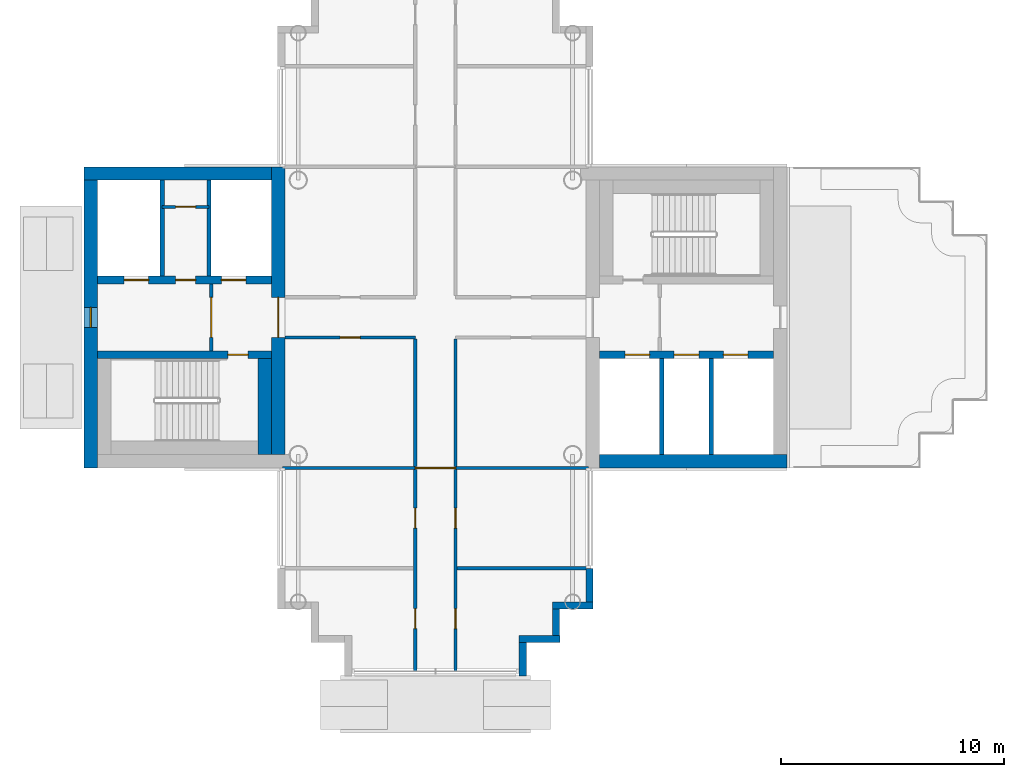
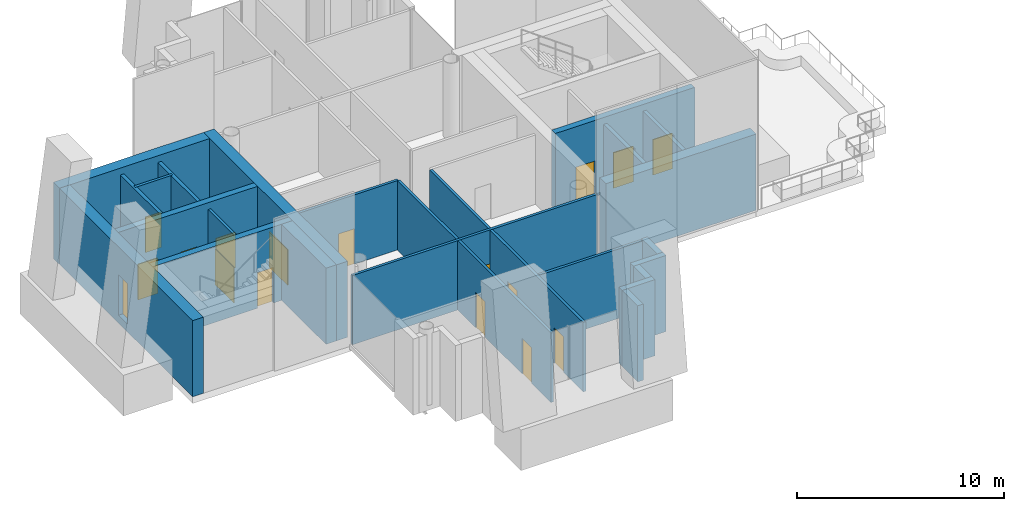
# One storey, part 7 of 16: 26 walls, 16 doors, 1 window, 17 openings.
"""IFC4 building model written with IfcOpenShell, lengths in metres."""

from ifc_helpers import new_model, si_unit, direction, frame, frame_2d, origin, place, context, subcontext, project, spatial, rectangle, extrude, material, layer, layer_set, type_object, element, fill, save


model = new_model("IFC4")

# Units and contexts
model_context = context("Model", 3, precision=1e-05, world=origin(), true_north=direction((0.0, 1.0)))
body_context = subcontext(model_context, "Body", "Model", "MODEL_VIEW")
ifc_project = project(units=[si_unit("LENGTHUNIT", "METRE"), si_unit("AREAUNIT", "SQUARE_METRE"), si_unit("VOLUMEUNIT", "CUBIC_METRE"), si_unit("PLANEANGLEUNIT", "RADIAN"), si_unit("MASSUNIT", "GRAM", prefix="KILO")], contexts=[model_context])

# Site, building, storey
site_placement = place(None, origin())
site = spatial("IfcSite", under=ifc_project, at=site_placement, CompositionType="ELEMENT")
building_placement = place(site_placement, origin())
building = spatial("IfcBuilding", under=site, at=building_placement, Name="Ipe Terrace Towers", CompositionType="ELEMENT")
storey_placement = place(building_placement, frame((0.0, 0.0, 233.39990234375)))
storey = spatial("IfcBuildingStorey", under=building, at=storey_placement, Name="L65", CompositionType="ELEMENT", Elevation=233.39990234375)

# Walls
ifc_material_1 = material(Name="Concrete C40/50 with buff precast cladding", Category="concrete")
ifc_layer_1 = layer(ifc_material_1, 0.320068359375)
ifc_layer_set_1 = layer_set([ifc_layer_1], Name="BUFF CLADDING WALL 320")
wall_type_1 = type_object("IfcWallType", Name="BUFF CLADDING WALL 320", PredefinedType="STANDARD", material=ifc_layer_set_1)
wall_1_placement = place(storey_placement, frame((-32.090087890625, -16.070068359375, -0.2998046875), z_axis=(0.0, 0.0, 1.0), x_axis=(0.0, 1.0, 0.0)))
element("IfcWall", 1, at=wall_1_placement, inside=storey, type_object=wall_type_1, Name="T1-W-L65-09a wall", PredefinedType="STANDARD", context=body_context, shape_type="SweptSolid", body=[
    extrude(rectangle(XDim=1.5, YDim=0.320068359375, at=frame_2d((0.75, 0.0))), origin(), (0.0, 0.0, 1.0), 4.5),
])
wall_2_placement = place(storey_placement, frame((-32.25, -14.409912109375, -0.2998046875), z_axis=(0.0, 0.0, 1.0), x_axis=(1.0, 0.0, 0.0)))
element("IfcWall", 2, at=wall_2_placement, inside=storey, type_object=wall_type_1, Name="T1-W-L65-10a wall", PredefinedType="STANDARD", context=body_context, shape_type="SweptSolid", body=[
    extrude(rectangle(XDim=1.820068359375, YDim=0.320068359375, at=frame_2d((0.91015625, 0.0))), origin(), (0.0, 0.0, 1.0), 4.5),
])
wall_3_placement = place(storey_placement, frame((-30.590087890625, -14.25, -0.2998046875), z_axis=(0.0, 0.0, 1.0), x_axis=(0.0, 1.0, 0.0)))
element("IfcWall", 3, at=wall_3_placement, inside=storey, type_object=wall_type_1, Name="T1-W-L65-11a wall", PredefinedType="STANDARD", context=body_context, shape_type="SweptSolid", body=[
    extrude(rectangle(XDim=1.179931640625, YDim=0.320068359375, at=frame_2d((0.58984375, 0.0))), origin(), (0.0, 0.0, 1.0), 4.5),
])
wall_4_placement = place(storey_placement, frame((-30.75, -12.909912109375, -0.2998046875), z_axis=(0.0, 0.0, 1.0), x_axis=(1.0, 0.0, 0.0)))
element("IfcWall", 4, at=wall_4_placement, inside=storey, type_object=wall_type_1, Name="T1-W-L65-12a wall", PredefinedType="STANDARD", context=body_context, shape_type="SweptSolid", body=[
    extrude(rectangle(XDim=1.820068359375, YDim=0.320068359375, at=frame_2d((0.91015625, 0.0))), origin(), (0.0, 0.0, 1.0), 4.5),
])
wall_5_placement = place(storey_placement, frame((-29.090087890625, -12.75, -0.2998046875), z_axis=(0.0, 0.0, 1.0), x_axis=(0.0, 1.0, 0.0)))
element("IfcWall", 5, at=wall_5_placement, inside=storey, type_object=wall_type_1, Name="T1-W-L65-13a wall", PredefinedType="STANDARD", context=body_context, shape_type="SweptSolid", body=[
    extrude(rectangle(XDim=1.5, YDim=0.320068359375, at=frame_2d((0.75, 0.0))), origin(), (0.0, 0.0, 1.0), 4.5),
])

# Wall, opening, door
ifc_material_2 = material(Name="Gypsum board partition", Category="plasterboard")
ifc_layer_2 = layer(ifc_material_2, 0.14990234375)
ifc_layer_set_2 = layer_set([ifc_layer_2], Name="Gypsum board partition 150 mm")
wall_type_2 = type_object("IfcWallType", Name="Gypsum board partition 150 mm", PredefinedType="PARTITIONING", material=ifc_layer_set_2)
wall_6_placement = place(storey_placement, frame((-46.050048828125, 1.5, 0.0), z_axis=(0.0, 0.0, 1.0), x_axis=(0.0, -1.0, 0.0)))
wall_6 = element("IfcWall", 6, at=wall_6_placement, inside=storey, type_object=wall_type_2, Name="Gypsum board partition T1 L65 t1c2-lobby-wall", PredefinedType="PARTITIONING", context=body_context, shape_type="SweptSolid", body=[
    extrude(rectangle(XDim=3.0, YDim=0.14990234375, at=frame_2d((1.5, 0.0))), origin(), (0.0, 0.0, 1.0), 4.10009765625),
])
opening_1_placement = place(wall_6_placement, frame((0.60009765625, 0.0, 0.0)))
opening_1 = element("IfcOpeningElement", 7, at=opening_1_placement, cuts=wall_6, Name="Opening T1C2-VD", PredefinedType="OPENING", context=body_context, shape_type="SweptSolid", body=[
    extrude(rectangle(XDim=1.800048828125, YDim=2.10009765625, at=frame_2d((0.89990234375, 1.050048828125))), frame((0.0, 0.0849609375, 0.0), z_axis=(0.0, -1.0, 0.0), x_axis=(1.0, 0.0, 0.0)), (0.0, 0.0, 1.0), 0.169921875),
])
ifc_material_3 = material(Name="Fire-rated timber door leaf", Category="wood")
door_type_1 = type_object("IfcDoorType", Name="Lobby door 1800 x 2100 FD60", OperationType="NOTDEFINED", PredefinedType="DOOR", material=ifc_material_3)
door_1_placement = place(opening_1_placement, origin())
door_1 = element("IfcDoor", 8, at=door_1_placement, inside=storey, type_object=door_type_1, Name="Lobby door T1C2-VD", OperationType="SINGLE_SWING_LEFT", OverallHeight=2.10009765625, OverallWidth=1.800048828125, PredefinedType="DOOR", context=body_context, shape_type="SweptSolid", body=[
    extrude(rectangle(XDim=1.800048828125, YDim=2.10009765625, at=frame_2d((0.89990234375, 1.050048828125))), frame((0.0, 0.02490234375, 0.0), z_axis=(0.0, -1.0, 0.0), x_axis=(1.0, 0.0, 0.0)), (0.0, 0.0, 1.0), 0.050048828125),
])
fill(opening_1, door_1)

wall_7_placement = place(storey_placement, frame((-46.14990234375, 4.949951171875, 0.0), z_axis=(0.0, 0.0, 1.0), x_axis=(-1.0, 0.0, 0.0)))
wall_7 = element("IfcWall", 9, at=wall_7_placement, inside=storey, type_object=wall_type_2, Name="Gypsum board partition T1 L65 t1c2-q-back", PredefinedType="PARTITIONING", context=body_context, shape_type="SweptSolid", body=[
    extrude(rectangle(XDim=2.10009765625, YDim=0.14990234375, at=frame_2d((1.050048828125, 0.0))), origin(), (0.0, 0.0, 1.0), 4.10009765625),
])
opening_2_placement = place(wall_7_placement, frame((0.60009765625, 0.0, 0.0)))
opening_2 = element("IfcOpeningElement", 10, at=opening_2_placement, cuts=wall_7, Name="Opening T1C2-RB", PredefinedType="OPENING", context=body_context, shape_type="SweptSolid", body=[
    extrude(rectangle(XDim=0.89990234375, YDim=2.10009765625, at=frame_2d((0.449951171875, 1.050048828125))), frame((0.0, 0.0849609375, 0.0), z_axis=(0.0, -1.0, 0.0), x_axis=(1.0, 0.0, 0.0)), (0.0, 0.0, 1.0), 0.169921875),
])
ifc_material_4 = material(Name="Fire-rated timber door leaf", Category="wood")
door_type_2 = type_object("IfcDoorType", Name="Service door 900 x 2100 FD60", OperationType="NOTDEFINED", PredefinedType="DOOR", material=ifc_material_4)
door_2_placement = place(opening_2_placement, origin())
door_2 = element("IfcDoor", 11, at=door_2_placement, inside=storey, type_object=door_type_2, Name="Service door T1C2-RB", OperationType="SINGLE_SWING_LEFT", OverallHeight=2.10009765625, OverallWidth=0.89990234375, PredefinedType="DOOR", context=body_context, shape_type="SweptSolid", body=[
    extrude(rectangle(XDim=0.89990234375, YDim=2.10009765625, at=frame_2d((0.449951171875, 1.050048828125))), frame((0.0, 0.02490234375, 0.0), z_axis=(0.0, -1.0, 0.0), x_axis=(1.0, 0.0, 0.0)), (0.0, 0.0, 1.0), 0.050048828125),
])
fill(opening_2, door_2)

# Wall
wall_8_placement = place(storey_placement, frame((-35.10009765625, -6.675048828125, 0.0), z_axis=(0.0, 0.0, 1.0), x_axis=(0.0, 1.0, 0.0)))
element("IfcWall", 12, at=wall_8_placement, inside=storey, type_object=wall_type_2, Name="Gypsum board partition T1 L65 sp-hub-qes-y", PredefinedType="PARTITIONING", context=body_context, shape_type="SweptSolid", body=[
    extrude(rectangle(XDim=5.699951171875, YDim=0.14990234375, at=frame_2d((2.85009765625, 0.0))), origin(), (0.0, 0.0, 1.0), 4.10009765625),
])

# Wall, opening, door
wall_9_placement = place(storey_placement, frame((-42.75, -0.89990234375, 0.0), z_axis=(0.0, 0.0, 1.0), x_axis=(1.0, 0.0, 0.0)))
wall_9 = element("IfcWall", 13, at=wall_9_placement, inside=storey, type_object=wall_type_2, Name="Gypsum board partition T1 L65 sp-hub-qws-x", PredefinedType="PARTITIONING", context=body_context, shape_type="SweptSolid", body=[
    extrude(rectangle(XDim=5.85009765625, YDim=0.14990234375, at=frame_2d((2.925048828125, 0.0))), origin(), (0.0, 0.0, 1.0), 4.10009765625),
])
opening_3_placement = place(wall_9_placement, frame((2.47509765625, 0.0, 0.0)))
opening_3 = element("IfcOpeningElement", 14, at=opening_3_placement, cuts=wall_9, Name="Opening T1-SP-HWS-FD60", PredefinedType="OPENING", context=body_context, shape_type="SweptSolid", body=[
    extrude(rectangle(XDim=0.89990234375, YDim=2.10009765625, at=frame_2d((0.449951171875, 1.050048828125))), frame((0.0, 0.0849609375, 0.0), z_axis=(0.0, -1.0, 0.0), x_axis=(1.0, 0.0, 0.0)), (0.0, 0.0, 1.0), 0.169921875),
])
door_3_placement = place(opening_3_placement, origin())
door_3 = element("IfcDoor", 15, at=door_3_placement, inside=storey, type_object=door_type_2, Name="Service door T1-SP-HWS-FD60", OperationType="SINGLE_SWING_RIGHT", OverallHeight=2.10009765625, OverallWidth=0.89990234375, PredefinedType="DOOR", context=body_context, shape_type="SweptSolid", body=[
    extrude(rectangle(XDim=0.89990234375, YDim=2.10009765625, at=frame_2d((0.449951171875, 1.050048828125))), frame((0.0, 0.02490234375, 0.0), z_axis=(0.0, -1.0, 0.0), x_axis=(1.0, 0.0, 0.0)), (0.0, 0.0, 1.0), 0.050048828125),
])
fill(opening_3, door_3)

# Wall
wall_10_placement = place(storey_placement, frame((-36.89990234375, -6.675048828125, 0.0), z_axis=(0.0, 0.0, 1.0), x_axis=(0.0, 1.0, 0.0)))
element("IfcWall", 16, at=wall_10_placement, inside=storey, type_object=wall_type_2, Name="Gypsum board partition T1 L65 sp-hub-qws-y", PredefinedType="PARTITIONING", context=body_context, shape_type="SweptSolid", body=[
    extrude(rectangle(XDim=5.699951171875, YDim=0.14990234375, at=frame_2d((2.85009765625, 0.0))), origin(), (0.0, 0.0, 1.0), 4.10009765625),
])

# Wall, opening, door
wall_11_placement = place(storey_placement, frame((-42.85009765625, -6.75, 0.0), z_axis=(0.0, 0.0, 1.0), x_axis=(1.0, 0.0, 0.0)))
wall_11 = element("IfcWall", 17, at=wall_11_placement, inside=storey, type_object=wall_type_2, Name="Gypsum board partition T1 L65 sp-Sm-mouth", PredefinedType="PARTITIONING", context=body_context, shape_type="SweptSolid", body=[
    extrude(rectangle(XDim=13.7001953125, YDim=0.14990234375, at=frame_2d((6.85009765625, 0.0))), origin(), (0.0, 0.0, 1.0), 4.10009765625),
])
opening_4_placement = place(wall_11_placement, frame((5.949951171875, 0.0, 0.0)))
opening_4 = element("IfcOpeningElement", 18, at=opening_4_placement, cuts=wall_11, Name="Opening T1-SP-MSm", PredefinedType="OPENING", context=body_context, shape_type="SweptSolid", body=[
    extrude(rectangle(XDim=1.800048828125, YDim=2.10009765625, at=frame_2d((0.89990234375, 1.050048828125))), frame((0.0, 0.0849609375, 0.0), z_axis=(0.0, -1.0, 0.0), x_axis=(1.0, 0.0, 0.0)), (0.0, 0.0, 1.0), 0.169921875),
])
ifc_material_5 = material(Name="Fire-rated timber door leaf", Category="wood")
door_type_3 = type_object("IfcDoorType", Name="Lobby door 1800 x 2100 FD30S", OperationType="NOTDEFINED", PredefinedType="DOOR", material=ifc_material_5)
door_4_placement = place(opening_4_placement, origin())
door_4 = element("IfcDoor", 19, at=door_4_placement, inside=storey, type_object=door_type_3, Name="Lobby door T1-SP-MSm", OperationType="SINGLE_SWING_RIGHT", OverallHeight=2.10009765625, OverallWidth=1.800048828125, PredefinedType="DOOR", context=body_context, shape_type="SweptSolid", body=[
    extrude(rectangle(XDim=1.800048828125, YDim=2.10009765625, at=frame_2d((0.89990234375, 1.050048828125))), frame((0.0, 0.02490234375, 0.0), z_axis=(0.0, -1.0, 0.0), x_axis=(1.0, 0.0, 0.0)), (0.0, 0.0, 1.0), 0.050048828125),
])
fill(opening_4, door_4)

# Wall, openings, doors
wall_12_placement = place(storey_placement, frame((-35.10009765625, -15.85009765625, 0.0), z_axis=(0.0, 0.0, 1.0), x_axis=(0.0, 1.0, 0.0)))
wall_12 = element("IfcWall", 20, at=wall_12_placement, inside=storey, type_object=wall_type_2, Name="Gypsum board partition T1 L65 sp-Sm-wp", PredefinedType="PARTITIONING", context=body_context, shape_type="SweptSolid", body=[
    extrude(rectangle(XDim=9.025146484375, YDim=0.14990234375, at=frame_2d((4.5126953125, 0.0))), origin(), (0.0, 0.0, 1.0), 4.10009765625),
])
opening_5_placement = place(wall_12_placement, frame((1.89990234375, 0.0, 0.0)))
opening_5 = element("IfcOpeningElement", 21, at=opening_5_placement, cuts=wall_12, Name="Opening T1-SP-PSm1-FD60", PredefinedType="OPENING", context=body_context, shape_type="SweptSolid", body=[
    extrude(rectangle(XDim=0.89990234375, YDim=2.10009765625, at=frame_2d((0.449951171875, 1.050048828125))), frame((0.0, 0.0849609375, 0.0), z_axis=(0.0, -1.0, 0.0), x_axis=(1.0, 0.0, 0.0)), (0.0, 0.0, 1.0), 0.169921875),
])
opening_6_placement = place(wall_12_placement, frame((6.39990234375, 0.0, 0.0)))
opening_6 = element("IfcOpeningElement", 22, at=opening_6_placement, cuts=wall_12, Name="Opening T1-SP-PSm2-FD60", PredefinedType="OPENING", context=body_context, shape_type="SweptSolid", body=[
    extrude(rectangle(XDim=0.89990234375, YDim=2.10009765625, at=frame_2d((0.449951171875, 1.050048828125))), frame((0.0, 0.0849609375, 0.0), z_axis=(0.0, -1.0, 0.0), x_axis=(1.0, 0.0, 0.0)), (0.0, 0.0, 1.0), 0.169921875),
])
door_5_placement = place(opening_5_placement, origin())
door_5 = element("IfcDoor", 23, at=door_5_placement, inside=storey, type_object=door_type_2, Name="Service door T1-SP-PSm1-FD60", OperationType="SINGLE_SWING_LEFT", OverallHeight=2.10009765625, OverallWidth=0.89990234375, PredefinedType="DOOR", context=body_context, shape_type="SweptSolid", body=[
    extrude(rectangle(XDim=0.89990234375, YDim=2.10009765625, at=frame_2d((0.449951171875, 1.050048828125))), frame((0.0, 0.02490234375, 0.0), z_axis=(0.0, -1.0, 0.0), x_axis=(1.0, 0.0, 0.0)), (0.0, 0.0, 1.0), 0.050048828125),
])
fill(opening_5, door_5)
door_6_placement = place(opening_6_placement, origin())
door_6 = element("IfcDoor", 24, at=door_6_placement, inside=storey, type_object=door_type_2, Name="Service door T1-SP-PSm2-FD60", OperationType="SINGLE_SWING_RIGHT", OverallHeight=2.10009765625, OverallWidth=0.89990234375, PredefinedType="DOOR", context=body_context, shape_type="SweptSolid", body=[
    extrude(rectangle(XDim=0.89990234375, YDim=2.10009765625, at=frame_2d((0.449951171875, 1.050048828125))), frame((0.0, 0.02490234375, 0.0), z_axis=(0.0, -1.0, 0.0), x_axis=(1.0, 0.0, 0.0)), (0.0, 0.0, 1.0), 0.050048828125),
])
fill(opening_6, door_6)

# Wall
wall_13_placement = place(storey_placement, frame((-35.02490234375, -11.25, 0.0), z_axis=(0.0, 0.0, 1.0), x_axis=(1.0, 0.0, 0.0)))
element("IfcWall", 25, at=wall_13_placement, inside=storey, type_object=wall_type_2, Name="Gypsum board partition T1 L65 sp-Sm-dp1", PredefinedType="PARTITIONING", context=body_context, shape_type="SweptSolid", body=[
    extrude(rectangle(XDim=5.875, YDim=0.14990234375, at=frame_2d((2.9375, 0.0))), origin(), (0.0, 0.0, 1.0), 4.10009765625),
])

# Wall, openings, doors
wall_14_placement = place(storey_placement, frame((-36.89990234375, -15.85009765625, 0.0), z_axis=(0.0, 0.0, 1.0), x_axis=(0.0, 1.0, 0.0)))
wall_14 = element("IfcWall", 26, at=wall_14_placement, inside=storey, type_object=wall_type_2, Name="Gypsum board partition T1 L65 sp-Sm-wm", PredefinedType="PARTITIONING", context=body_context, shape_type="SweptSolid", body=[
    extrude(rectangle(XDim=9.025146484375, YDim=0.14990234375, at=frame_2d((4.5126953125, 0.0))), origin(), (0.0, 0.0, 1.0), 4.10009765625),
])
opening_7_placement = place(wall_14_placement, frame((1.89990234375, 0.0, 0.0)))
opening_7 = element("IfcOpeningElement", 27, at=opening_7_placement, cuts=wall_14, Name="Opening T1-SP-MSm1-FD60", PredefinedType="OPENING", context=body_context, shape_type="SweptSolid", body=[
    extrude(rectangle(XDim=0.89990234375, YDim=2.10009765625, at=frame_2d((0.449951171875, 1.050048828125))), frame((0.0, 0.0849609375, 0.0), z_axis=(0.0, -1.0, 0.0), x_axis=(1.0, 0.0, 0.0)), (0.0, 0.0, 1.0), 0.169921875),
])
opening_8_placement = place(wall_14_placement, frame((6.39990234375, 0.0, 0.0)))
opening_8 = element("IfcOpeningElement", 28, at=opening_8_placement, cuts=wall_14, Name="Opening T1-SP-MSm2-FD60", PredefinedType="OPENING", context=body_context, shape_type="SweptSolid", body=[
    extrude(rectangle(XDim=0.89990234375, YDim=2.10009765625, at=frame_2d((0.449951171875, 1.050048828125))), frame((0.0, 0.0849609375, 0.0), z_axis=(0.0, -1.0, 0.0), x_axis=(1.0, 0.0, 0.0)), (0.0, 0.0, 1.0), 0.169921875),
])
door_7_placement = place(opening_7_placement, origin())
door_7 = element("IfcDoor", 29, at=door_7_placement, inside=storey, type_object=door_type_2, Name="Service door T1-SP-MSm1-FD60", OperationType="SINGLE_SWING_RIGHT", OverallHeight=2.10009765625, OverallWidth=0.89990234375, PredefinedType="DOOR", context=body_context, shape_type="SweptSolid", body=[
    extrude(rectangle(XDim=0.89990234375, YDim=2.10009765625, at=frame_2d((0.449951171875, 1.050048828125))), frame((0.0, 0.02490234375, 0.0), z_axis=(0.0, -1.0, 0.0), x_axis=(1.0, 0.0, 0.0)), (0.0, 0.0, 1.0), 0.050048828125),
])
fill(opening_7, door_7)
door_8_placement = place(opening_8_placement, origin())
door_8 = element("IfcDoor", 30, at=door_8_placement, inside=storey, type_object=door_type_2, Name="Service door T1-SP-MSm2-FD60", OperationType="SINGLE_SWING_LEFT", OverallHeight=2.10009765625, OverallWidth=0.89990234375, PredefinedType="DOOR", context=body_context, shape_type="SweptSolid", body=[
    extrude(rectangle(XDim=0.89990234375, YDim=2.10009765625, at=frame_2d((0.449951171875, 1.050048828125))), frame((0.0, 0.02490234375, 0.0), z_axis=(0.0, -1.0, 0.0), x_axis=(1.0, 0.0, 0.0)), (0.0, 0.0, 1.0), 0.050048828125),
])
fill(opening_8, door_8)

# Walls
ifc_material_6 = material(Name="Gypsum board party wall", Category="plasterboard")
ifc_layer_3 = layer(ifc_material_6, 0.199951171875)
ifc_layer_set_3 = layer_set([ifc_layer_3], Name="Gypsum board party wall 200 mm")
wall_type_3 = type_object("IfcWallType", Name="Gypsum board party wall 200 mm", PredefinedType="SOLIDWALL", material=ifc_layer_set_3)
for number, where, z_axis, x_axis, name in (
    (31, (-25.85009765625, -6.14990234375, 0.0), (0.0, 0.0, 1.0), (0.0, 1.0, 0.0), "Gypsum board party wall T1 L65 t1c1-shaft-div1"),
    (32, (-23.64990234375, -6.14990234375, 0.0), (0.0, 0.0, 1.0), (0.0, 1.0, 0.0), "Gypsum board party wall T1 L65 t1c1-shaft-div2"),
    (33, (-48.25, 6.14990234375, 0.0), (0.0, 0.0, 1.0), (0.0, -1.0, 0.0), "Gypsum board party wall T1 L65 t1c2-shaft-div2"),
    (34, (-46.14990234375, 6.14990234375, 0.0), (0.0, 0.0, 1.0), (0.0, -1.0, 0.0), "Gypsum board party wall T1 L65 t1c2-shaft-div1"),
):
    element("IfcWall", number, at=place(storey_placement, frame(where, z_axis=z_axis, x_axis=x_axis)), inside=storey, type_object=wall_type_3, Name=name, PredefinedType="SOLIDWALL", context=body_context, shape_type="SweptSolid", body=[
        extrude(rectangle(XDim=4.2998046875, YDim=0.199951171875, at=frame_2d((2.14990234375, 0.0))), origin(), (0.0, 0.0, 1.0), 4.10009765625),
    ])

# Wall, openings, doors
ifc_material_7 = material(Name="Concrete C40/50", Category="concrete")
ifc_layer_4 = layer(ifc_material_7, 0.35009765625)
ifc_layer_set_4 = layer_set([ifc_layer_4], Name="RW350 CORE SPINE WALL 350 C40-50")
wall_type_4 = type_object("IfcWallType", Name="RW350 CORE SPINE WALL 350 C40-50", PredefinedType="SHEAR", material=ifc_layer_set_4)
wall_15_placement = place(storey_placement, frame((-28.64990234375, -1.675048828125, 0.0), z_axis=(0.0, 0.0, 1.0), x_axis=(1.0, 0.0, 0.0)))
wall_15 = element("IfcWall", 35, at=wall_15_placement, inside=storey, type_object=wall_type_4, Name="Core spine wall T1-C1-Z4-SW1", PredefinedType="SHEAR", context=body_context, shape_type="SweptSolid", body=[
    extrude(rectangle(XDim=7.7998046875, YDim=0.35009765625, at=frame_2d((3.89990234375, 0.0))), origin(), (0.0, 0.0, 1.0), 4.5),
])
opening_9_placement = place(wall_15_placement, frame((1.14990234375, 0.0, 0.0)))
opening_9 = element("IfcOpeningElement", 36, at=opening_9_placement, cuts=wall_15, Name="Opening T1C1-LD1", PredefinedType="OPENING", context=body_context, shape_type="SweptSolid", body=[
    extrude(rectangle(XDim=1.10009765625, YDim=2.10009765625, at=frame_2d((0.550048828125, 1.050048828125))), frame((0.0, 0.18505859375, 0.0), z_axis=(0.0, -1.0, 0.0), x_axis=(1.0, 0.0, 0.0)), (0.0, 0.0, 1.0), 0.3701171875),
])
opening_10_placement = place(wall_15_placement, frame((3.35009765625, 0.0, 0.0)))
opening_10 = element("IfcOpeningElement", 37, at=opening_10_placement, cuts=wall_15, Name="Opening T1C1-LD2", PredefinedType="OPENING", context=body_context, shape_type="SweptSolid", body=[
    extrude(rectangle(XDim=1.10009765625, YDim=2.10009765625, at=frame_2d((0.550048828125, 1.050048828125))), frame((0.0, 0.18505859375, 0.0), z_axis=(0.0, -1.0, 0.0), x_axis=(1.0, 0.0, 0.0)), (0.0, 0.0, 1.0), 0.3701171875),
])
opening_11_placement = place(wall_15_placement, frame((5.550048828125, 0.0, 0.0)))
opening_11 = element("IfcOpeningElement", 38, at=opening_11_placement, cuts=wall_15, Name="Opening T1C1-LD3", PredefinedType="OPENING", context=body_context, shape_type="SweptSolid", body=[
    extrude(rectangle(XDim=1.10009765625, YDim=2.10009765625, at=frame_2d((0.550048828125, 1.050048828125))), frame((0.0, 0.18505859375, 0.0), z_axis=(0.0, -1.0, 0.0), x_axis=(1.0, 0.0, 0.0)), (0.0, 0.0, 1.0), 0.3701171875),
])
ifc_material_8 = material(Name="Fire-rated timber door leaf", Category="wood")
door_type_4 = type_object("IfcDoorType", Name="Sliding door 1100 x 2100 FD60", OperationType="SLIDING_TO_LEFT", PredefinedType="DOOR", material=ifc_material_8)
door_9_placement = place(opening_9_placement, origin())
door_9 = element("IfcDoor", 39, at=door_9_placement, inside=storey, type_object=door_type_4, Name="Sliding door T1C1-LD1", OperationType="SLIDING_TO_LEFT", OverallHeight=2.10009765625, OverallWidth=1.10009765625, PredefinedType="DOOR", context=body_context, shape_type="SweptSolid", body=[
    extrude(rectangle(XDim=1.10009765625, YDim=2.10009765625, at=frame_2d((0.550048828125, 1.050048828125))), frame((0.0, 0.02490234375, 0.0), z_axis=(0.0, -1.0, 0.0), x_axis=(1.0, 0.0, 0.0)), (0.0, 0.0, 1.0), 0.050048828125),
])
fill(opening_9, door_9)
door_10_placement = place(opening_10_placement, origin())
door_10 = element("IfcDoor", 40, at=door_10_placement, inside=storey, type_object=door_type_4, Name="Sliding door T1C1-LD2", OperationType="SLIDING_TO_LEFT", OverallHeight=2.10009765625, OverallWidth=1.10009765625, PredefinedType="DOOR", context=body_context, shape_type="SweptSolid", body=[
    extrude(rectangle(XDim=1.10009765625, YDim=2.10009765625, at=frame_2d((0.550048828125, 1.050048828125))), frame((0.0, 0.02490234375, 0.0), z_axis=(0.0, -1.0, 0.0), x_axis=(1.0, 0.0, 0.0)), (0.0, 0.0, 1.0), 0.050048828125),
])
fill(opening_10, door_10)
door_11_placement = place(opening_11_placement, origin())
door_11 = element("IfcDoor", 41, at=door_11_placement, inside=storey, type_object=door_type_4, Name="Sliding door T1C1-LD3", OperationType="SLIDING_TO_LEFT", OverallHeight=2.10009765625, OverallWidth=1.10009765625, PredefinedType="DOOR", context=body_context, shape_type="SweptSolid", body=[
    extrude(rectangle(XDim=1.10009765625, YDim=2.10009765625, at=frame_2d((0.550048828125, 1.050048828125))), frame((0.0, 0.02490234375, 0.0), z_axis=(0.0, -1.0, 0.0), x_axis=(1.0, 0.0, 0.0)), (0.0, 0.0, 1.0), 0.050048828125),
])
fill(opening_11, door_11)

# Wall, opening, door
wall_16_placement = place(storey_placement, frame((-51.14990234375, -1.675048828125, 0.0), z_axis=(0.0, 0.0, 1.0), x_axis=(1.0, 0.0, 0.0)))
wall_16 = element("IfcWall", 42, at=wall_16_placement, inside=storey, type_object=wall_type_4, Name="Core spine wall T1-C2-Z4-SW1", PredefinedType="SHEAR", context=body_context, shape_type="SweptSolid", body=[
    extrude(rectangle(XDim=7.7998046875, YDim=0.35009765625, at=frame_2d((3.89990234375, 0.0))), origin(), (0.0, 0.0, 1.0), 4.5),
])
opening_12_placement = place(wall_16_placement, frame((5.85009765625, 0.0, 0.0)))
opening_12 = element("IfcOpeningElement", 43, at=opening_12_placement, cuts=wall_16, Name="Opening T1C2-SD", PredefinedType="OPENING", context=body_context, shape_type="SweptSolid", body=[
    extrude(rectangle(XDim=0.89990234375, YDim=2.10009765625, at=frame_2d((0.449951171875, 1.050048828125))), frame((0.0, 0.18505859375, 0.0), z_axis=(0.0, -1.0, 0.0), x_axis=(1.0, 0.0, 0.0)), (0.0, 0.0, 1.0), 0.3701171875),
])
ifc_material_9 = material(Name="Fire-rated timber door leaf", Category="wood")
door_type_5 = type_object("IfcDoorType", Name="Stair door 900 x 2100 FD60", OperationType="NOTDEFINED", PredefinedType="DOOR", material=ifc_material_9)
door_12_placement = place(opening_12_placement, origin())
door_12 = element("IfcDoor", 44, at=door_12_placement, inside=storey, type_object=door_type_5, Name="Stair door T1C2-SD", OperationType="SINGLE_SWING_RIGHT", OverallHeight=2.10009765625, OverallWidth=0.89990234375, PredefinedType="DOOR", context=body_context, shape_type="SweptSolid", body=[
    extrude(rectangle(XDim=0.89990234375, YDim=2.10009765625, at=frame_2d((0.449951171875, 1.050048828125))), frame((0.0, 0.02490234375, 0.0), z_axis=(0.0, -1.0, 0.0), x_axis=(1.0, 0.0, 0.0)), (0.0, 0.0, 1.0), 0.050048828125),
])
fill(opening_12, door_12)

# Wall, openings, doors
wall_17_placement = place(storey_placement, frame((-51.14990234375, 1.675048828125, 0.0), z_axis=(0.0, 0.0, 1.0), x_axis=(1.0, 0.0, 0.0)))
wall_17 = element("IfcWall", 45, at=wall_17_placement, inside=storey, type_object=wall_type_4, Name="Core spine wall T1-C2-Z4-SW2", PredefinedType="SHEAR", context=body_context, shape_type="SweptSolid", body=[
    extrude(rectangle(XDim=7.7998046875, YDim=0.35009765625, at=frame_2d((3.89990234375, 0.0))), origin(), (0.0, 0.0, 1.0), 4.5),
])
opening_13_placement = place(wall_17_placement, frame((5.550048828125, 0.0, 0.0)))
opening_13 = element("IfcOpeningElement", 46, at=opening_13_placement, cuts=wall_17, Name="Opening T1C2-LD1", PredefinedType="OPENING", context=body_context, shape_type="SweptSolid", body=[
    extrude(rectangle(XDim=1.10009765625, YDim=2.10009765625, at=frame_2d((0.550048828125, 1.050048828125))), frame((0.0, 0.18505859375, 0.0), z_axis=(0.0, -1.0, 0.0), x_axis=(1.0, 0.0, 0.0)), (0.0, 0.0, 1.0), 0.3701171875),
])
opening_14_placement = place(wall_17_placement, frame((1.199951171875, 0.0, 0.0)))
opening_14 = element("IfcOpeningElement", 47, at=opening_14_placement, cuts=wall_17, Name="Opening T1C2-LD3", PredefinedType="OPENING", context=body_context, shape_type="SweptSolid", body=[
    extrude(rectangle(XDim=1.10009765625, YDim=2.10009765625, at=frame_2d((0.550048828125, 1.050048828125))), frame((0.0, 0.18505859375, 0.0), z_axis=(0.0, -1.0, 0.0), x_axis=(1.0, 0.0, 0.0)), (0.0, 0.0, 1.0), 0.3701171875),
])
opening_15_placement = place(wall_17_placement, frame((3.5, 0.0, 0.0)))
opening_15 = element("IfcOpeningElement", 48, at=opening_15_placement, cuts=wall_17, Name="Opening T1C2-R1-NR", PredefinedType="OPENING", context=body_context, shape_type="SweptSolid", body=[
    extrude(rectangle(XDim=0.89990234375, YDim=2.10009765625, at=frame_2d((0.449951171875, 1.050048828125))), frame((0.0, 0.18505859375, 0.0), z_axis=(0.0, -1.0, 0.0), x_axis=(1.0, 0.0, 0.0)), (0.0, 0.0, 1.0), 0.3701171875),
])
door_13_placement = place(opening_13_placement, origin())
door_13 = element("IfcDoor", 49, at=door_13_placement, inside=storey, type_object=door_type_4, Name="Sliding door T1C2-LD1", OperationType="SLIDING_TO_LEFT", OverallHeight=2.10009765625, OverallWidth=1.10009765625, PredefinedType="DOOR", context=body_context, shape_type="SweptSolid", body=[
    extrude(rectangle(XDim=1.10009765625, YDim=2.10009765625, at=frame_2d((0.550048828125, 1.050048828125))), frame((0.0, 0.02490234375, 0.0), z_axis=(0.0, -1.0, 0.0), x_axis=(1.0, 0.0, 0.0)), (0.0, 0.0, 1.0), 0.050048828125),
])
fill(opening_13, door_13)
door_14_placement = place(opening_14_placement, origin())
door_14 = element("IfcDoor", 50, at=door_14_placement, inside=storey, type_object=door_type_4, Name="Sliding door T1C2-LD3", OperationType="SLIDING_TO_LEFT", OverallHeight=2.10009765625, OverallWidth=1.10009765625, PredefinedType="DOOR", context=body_context, shape_type="SweptSolid", body=[
    extrude(rectangle(XDim=1.10009765625, YDim=2.10009765625, at=frame_2d((0.550048828125, 1.050048828125))), frame((0.0, 0.02490234375, 0.0), z_axis=(0.0, -1.0, 0.0), x_axis=(1.0, 0.0, 0.0)), (0.0, 0.0, 1.0), 0.050048828125),
])
fill(opening_14, door_14)
ifc_material_10 = material(Name="Timber door leaf", Category="wood")
door_type_6 = type_object("IfcDoorType", Name="Store door 900 x 2100", OperationType="NOTDEFINED", PredefinedType="DOOR", material=ifc_material_10)
door_15_placement = place(opening_15_placement, origin())
door_15 = element("IfcDoor", 51, at=door_15_placement, inside=storey, type_object=door_type_6, Name="Store door T1C2-R1-NR", OperationType="SINGLE_SWING_LEFT", OverallHeight=2.10009765625, OverallWidth=0.89990234375, PredefinedType="DOOR", context=body_context, shape_type="SweptSolid", body=[
    extrude(rectangle(XDim=0.89990234375, YDim=2.10009765625, at=frame_2d((0.449951171875, 1.050048828125))), frame((0.0, 0.02490234375, 0.0), z_axis=(0.0, -1.0, 0.0), x_axis=(1.0, 0.0, 0.0)), (0.0, 0.0, 1.0), 0.050048828125),
])
fill(opening_15, door_15)

# Walls
ifc_material_11 = material(Name="Concrete C40/50", Category="concrete")
ifc_layer_5 = layer(ifc_material_11, 0.60009765625)
ifc_layer_set_5 = layer_set([ifc_layer_5], Name="RW600 CORE INFILL WALL 600 C40-50")
wall_type_5 = type_object("IfcWallType", Name="RW600 CORE INFILL WALL 600 C40-50", PredefinedType="SHEAR", material=ifc_layer_set_5)
wall_18_placement = place(storey_placement, frame((-43.64990234375, -1.85009765625, 0.0), z_axis=(0.0, 0.0, 1.0), x_axis=(0.0, -1.0, 0.0)))
element("IfcWall", 52, at=wall_18_placement, inside=storey, type_object=wall_type_5, Name="Core infill wall T1-C2-near", PredefinedType="SHEAR", context=body_context, shape_type="SweptSolid", body=[
    extrude(rectangle(XDim=4.2998046875, YDim=0.60009765625, at=frame_2d((2.14990234375, 0.0))), origin(), (0.0, 0.0, 1.0), 4.5),
])
ifc_material_12 = material(Name="Concrete C40/50", Category="concrete")
ifc_layer_6 = layer(ifc_material_12, 0.60009765625)
ifc_layer_set_6 = layer_set([ifc_layer_6], Name="RW600 CORE WALL 600 C40-50")
wall_type_6 = type_object("IfcWallType", Name="RW600 CORE WALL 600 C40-50", PredefinedType="SHEAR", material=ifc_layer_set_6)
wall_19_placement = place(storey_placement, frame((-28.64990234375, -6.449951171875, 0.0), z_axis=(0.0, 0.0, 1.0), x_axis=(1.0, 0.0, 0.0)))
element("IfcWall", 53, at=wall_19_placement, inside=storey, type_object=wall_type_6, Name="Core wall T1-C1-Z4-W01", PredefinedType="SHEAR", context=body_context, shape_type="SweptSolid", body=[
    extrude(rectangle(XDim=8.39990234375, YDim=0.60009765625, at=frame_2d((4.199951171875, 0.0))), origin(), (0.0, 0.0, 1.0), 4.5),
])

# Wall, opening, door
wall_20_placement = place(storey_placement, frame((-43.050048828125, -6.14990234375, 0.0), z_axis=(0.0, 0.0, 1.0), x_axis=(0.0, 1.0, 0.0)))
wall_20 = element("IfcWall", 54, at=wall_20_placement, inside=storey, type_object=wall_type_6, Name="Core wall T1-C2-Z4-W02", PredefinedType="SHEAR", context=body_context, shape_type="SweptSolid", body=[
    extrude(rectangle(XDim=12.89990234375, YDim=0.60009765625, at=frame_2d((6.449951171875, 0.0))), origin(), (0.0, 0.0, 1.0), 4.5),
])
opening_16_placement = place(wall_20_placement, frame((5.25, 0.0, 0.0)))
opening_16 = element("IfcOpeningElement", 55, at=opening_16_placement, cuts=wall_20, Name="Opening T1C2-ND", PredefinedType="OPENING", context=body_context, shape_type="SweptSolid", body=[
    extrude(rectangle(XDim=1.800048828125, YDim=2.10009765625, at=frame_2d((0.89990234375, 1.050048828125))), frame((0.0, 0.31005859375, 0.0), z_axis=(0.0, -1.0, 0.0), x_axis=(1.0, 0.0, 0.0)), (0.0, 0.0, 1.0), 0.6201171875),
])
ifc_material_13 = material(Name="Fire-rated timber door leaf", Category="wood")
door_type_7 = type_object("IfcDoorType", Name="Fire door 1800 x 2100 FD30S", OperationType="NOTDEFINED", PredefinedType="DOOR", material=ifc_material_13)
door_16_placement = place(opening_16_placement, origin())
door_16 = element("IfcDoor", 56, at=door_16_placement, inside=storey, type_object=door_type_7, Name="Fire door T1C2-ND", OperationType="SINGLE_SWING_LEFT", OverallHeight=2.10009765625, OverallWidth=1.800048828125, PredefinedType="DOOR", context=body_context, shape_type="SweptSolid", body=[
    extrude(rectangle(XDim=1.800048828125, YDim=2.10009765625, at=frame_2d((0.89990234375, 1.050048828125))), frame((0.0, 0.02490234375, 0.0), z_axis=(0.0, -1.0, 0.0), x_axis=(1.0, 0.0, 0.0)), (0.0, 0.0, 1.0), 0.050048828125),
])
fill(opening_16, door_16)

# Wall
wall_21_placement = place(storey_placement, frame((-43.35009765625, 6.449951171875, 0.0), z_axis=(0.0, 0.0, 1.0), x_axis=(-1.0, 0.0, 0.0)))
element("IfcWall", 57, at=wall_21_placement, inside=storey, type_object=wall_type_6, Name="Core wall T1-C2-Z4-W03", PredefinedType="SHEAR", context=body_context, shape_type="SweptSolid", body=[
    extrude(rectangle(XDim=8.39990234375, YDim=0.60009765625, at=frame_2d((4.199951171875, 0.0))), origin(), (0.0, 0.0, 1.0), 4.5),
])

# Wall, opening, window
wall_22_placement = place(storey_placement, frame((-51.449951171875, 6.14990234375, 0.0), z_axis=(0.0, 0.0, 1.0), x_axis=(0.0, -1.0, 0.0)))
wall_22 = element("IfcWall", 58, at=wall_22_placement, inside=storey, type_object=wall_type_6, Name="Core wall T1-C2-Z4-W04", PredefinedType="SHEAR", context=body_context, shape_type="SweptSolid", body=[
    extrude(rectangle(XDim=12.89990234375, YDim=0.60009765625, at=frame_2d((6.449951171875, 0.0))), origin(), (0.0, 0.0, 1.0), 4.5),
])
opening_17_placement = place(wall_22_placement, frame((5.699951171875, 0.0, 0.449951171875)))
opening_17 = element("IfcOpeningElement", 59, at=opening_17_placement, cuts=wall_22, Name="Opening T1-C2-W-01-L65", PredefinedType="OPENING", context=body_context, shape_type="SweptSolid", body=[
    extrude(rectangle(XDim=0.89990234375, YDim=2.39990234375, at=frame_2d((0.449951171875, 1.199951171875))), frame((0.0, 0.31005859375, 0.0), z_axis=(0.0, -1.0, 0.0), x_axis=(1.0, 0.0, 0.0)), (0.0, 0.0, 1.0), 0.6201171875),
])
ifc_material_14 = material(Name="Fire-resistant glazing EI 60", Category="glass")
window_type = type_object("IfcWindowType", Name="CORRIDOR END SLOT WINDOW 900 x 2400 EI 60", PartitioningType="SINGLE_PANEL", PredefinedType="WINDOW", material=ifc_material_14)
window_placement = place(opening_17_placement, origin())
window = element("IfcWindow", 60, at=window_placement, inside=storey, type_object=window_type, Name="W-01 window", OverallHeight=2.39990234375, OverallWidth=0.89990234375, PartitioningType="SINGLE_PANEL", PredefinedType="WINDOW", context=body_context, shape_type="SweptSolid", body=[
    extrude(rectangle(XDim=0.89990234375, YDim=2.39990234375, at=frame_2d((0.449951171875, 1.199951171875))), frame((0.0, 0.030029296875, 0.0), z_axis=(0.0, -1.0, 0.0), x_axis=(1.0, 0.0, 0.0)), (0.0, 0.0, 1.0), 0.06005859375),
])
fill(opening_17, window)

save(model, "model.ifc")
